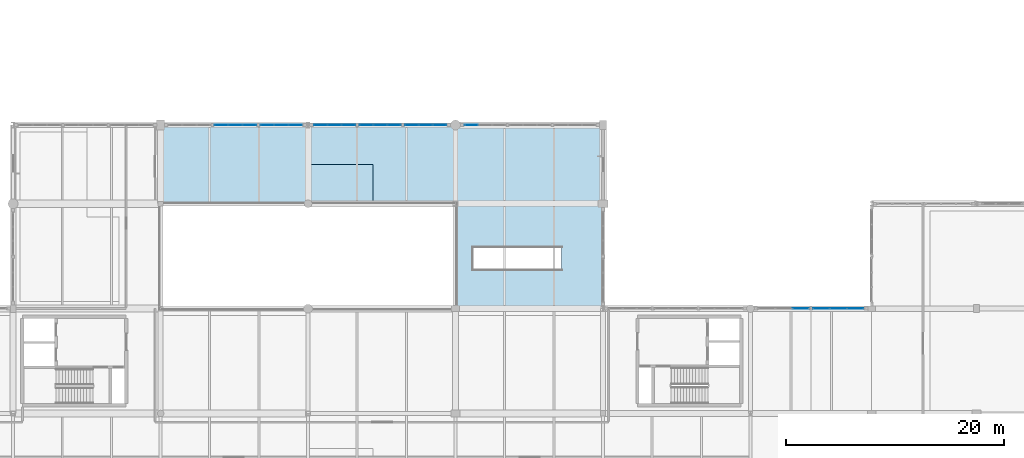
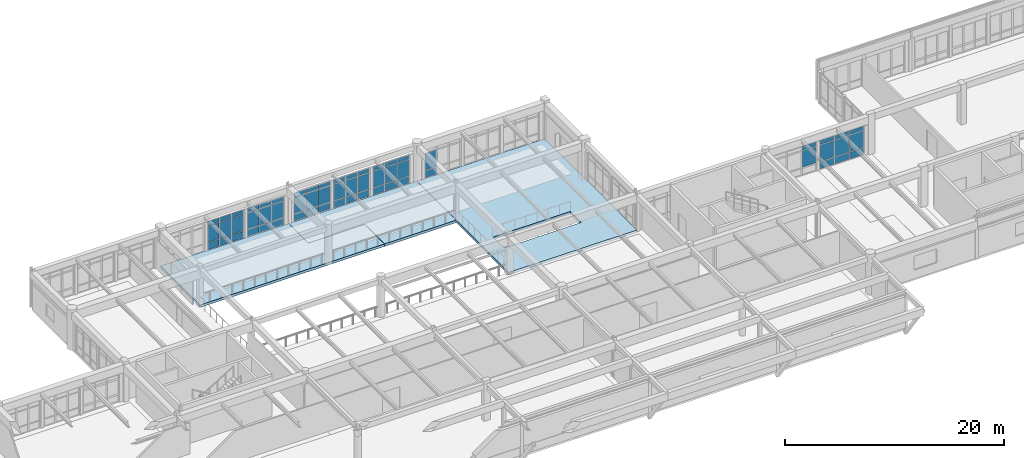
# One storey, part 54 of 80: 58 plates, 3 slabs, 8 elements without a shape of their own.
"""IFC4 building model written with IfcOpenShell, lengths in metres."""

from ifc_helpers import new_model, si_unit, direction, frame, origin, origin_2d, place, context, subcontext, project, spatial, polyline, rectangle, outline, extrude, material, layer, layer_set, type_object, element, aggregate, save


model = new_model("IFC4")

# Units and contexts
model_context = context("Model", 3, precision=1e-05, world=origin(), true_north=direction((0.0, 1.0)))
body_context = subcontext(model_context, "Body", "Model", "MODEL_VIEW")
ifc_project = project(units=[si_unit("LENGTHUNIT", "METRE"), si_unit("AREAUNIT", "SQUARE_METRE"), si_unit("VOLUMEUNIT", "CUBIC_METRE"), si_unit("PLANEANGLEUNIT", "RADIAN"), si_unit("MASSUNIT", "GRAM", prefix="KILO")], contexts=[model_context])

# Site, building, storey
site_placement = place(None, origin())
site = spatial("IfcSite", under=ifc_project, at=site_placement, CompositionType="ELEMENT")
building_placement = place(site_placement, origin())
building = spatial("IfcBuilding", under=site, at=building_placement, Name="Fikremerkos Civic Library", CompositionType="ELEMENT")
storey_placement = place(building_placement, frame((0.0, 0.0, 9.89990234375)))
storey = spatial("IfcBuildingStorey", under=building, at=storey_placement, Name="L02", CompositionType="ELEMENT", Elevation=9.89990234375)

# Curtain wall, plates
ifc_material_1 = material(Name="Anodized aluminium Frame", Category="aluminium")
ifc_layer_1 = layer(ifc_material_1, 0.159912109375, Name="Anodized aluminium Frame")
ifc_layer_set_1 = layer_set([ifc_layer_1], Name="Anodized aluminium Frame")
curtain_wall_type_1 = type_object("IfcCurtainWallType", Name="Unitised curtain wall CW-17 4600x3600", PredefinedType="USERDEFINED", material=ifc_layer_set_1)
curtain_wall_1_placement = place(storey_placement, origin())
curtain_wall_1 = element("IfcCurtainWall", 1, at=curtain_wall_1_placement, inside=storey, type_object=curtain_wall_type_1, Name="Unitised curtain wall CW-17 L02 #161", ObjectType="UNITISED CURTAIN WALL", PredefinedType="USERDEFINED")
ifc_material_2 = material(Name="Solar control double glazing", Category="glass")
ifc_layer_2 = layer(ifc_material_2, 0.028076171875, Name="Solar control double glazing")
ifc_layer_set_2 = layer_set([ifc_layer_2], Name="Solar control double glazing")
plate_type_1 = type_object("IfcPlateType", Name="Curtain glazing panel CWP-01 28", PredefinedType="CURTAIN_PANEL", material=ifc_layer_set_2)
plate_1_placement = place(storey_placement, frame((78.52685546875, 48.0, 0.070068359375), z_axis=(0.0, 0.0, 1.0), x_axis=(1.0, 0.0, 0.0)))
plate_1 = element("IfcPlate", 2, at=plate_1_placement, type_object=plate_type_1, Name="CW-17 panel 1.1", PredefinedType="CURTAIN_PANEL", context=body_context, shape_type="SweptSolid", body=[
    extrude(rectangle(XDim=1.19189453125, YDim=0.028076171875, at=origin_2d()), origin(), (0.0, 0.0, 1.0), 0.7451171875),
])
plate_2_placement = place(storey_placement, frame((78.52685546875, 48.0, 0.885009765625), z_axis=(0.0, 0.0, 1.0), x_axis=(1.0, 0.0, 0.0)))
plate_2 = element("IfcPlate", 3, at=plate_2_placement, type_object=plate_type_1, Name="CW-17 panel 1.2", PredefinedType="CURTAIN_PANEL", context=body_context, shape_type="SweptSolid", body=[
    extrude(rectangle(XDim=1.19189453125, YDim=0.028076171875, at=origin_2d()), origin(), (0.0, 0.0, 1.0), 1.7900390625),
])
plate_3_placement = place(storey_placement, frame((78.52685546875, 48.0, 2.7451171875), z_axis=(0.0, 0.0, 1.0), x_axis=(1.0, 0.0, 0.0)))
plate_3 = element("IfcPlate", 4, at=plate_3_placement, type_object=plate_type_1, Name="CW-17 panel 1.3", PredefinedType="CURTAIN_PANEL", context=body_context, shape_type="SweptSolid", body=[
    extrude(rectangle(XDim=1.19189453125, YDim=0.028076171875, at=origin_2d()), origin(), (0.0, 0.0, 1.0), 0.445068359375),
])
plate_4_placement = place(storey_placement, frame((79.800048828125, 48.0, 0.070068359375), z_axis=(0.0, 0.0, 1.0), x_axis=(1.0, 0.0, 0.0)))
plate_4 = element("IfcPlate", 5, at=plate_4_placement, type_object=plate_type_1, Name="CW-17 panel 2.1", PredefinedType="CURTAIN_PANEL", context=body_context, shape_type="SweptSolid", body=[
    extrude(rectangle(XDim=1.224365234375, YDim=0.028076171875, at=origin_2d()), origin(), (0.0, 0.0, 1.0), 0.7451171875),
])
plate_5_placement = place(storey_placement, frame((79.800048828125, 48.0, 0.885009765625), z_axis=(0.0, 0.0, 1.0), x_axis=(1.0, 0.0, 0.0)))
plate_5 = element("IfcPlate", 6, at=plate_5_placement, type_object=plate_type_1, Name="CW-17 panel 2.2", PredefinedType="CURTAIN_PANEL", context=body_context, shape_type="SweptSolid", body=[
    extrude(rectangle(XDim=1.224365234375, YDim=0.028076171875, at=origin_2d()), origin(), (0.0, 0.0, 1.0), 1.7900390625),
])
plate_6_placement = place(storey_placement, frame((79.800048828125, 48.0, 2.7451171875), z_axis=(0.0, 0.0, 1.0), x_axis=(1.0, 0.0, 0.0)))
plate_6 = element("IfcPlate", 7, at=plate_6_placement, type_object=plate_type_1, Name="CW-17 panel 2.3", PredefinedType="CURTAIN_PANEL", context=body_context, shape_type="SweptSolid", body=[
    extrude(rectangle(XDim=1.224365234375, YDim=0.028076171875, at=origin_2d()), origin(), (0.0, 0.0, 1.0), 0.445068359375),
])
plate_7_placement = place(storey_placement, frame((81.072998046875, 48.0, 0.070068359375), z_axis=(0.0, 0.0, 1.0), x_axis=(1.0, 0.0, 0.0)))
plate_7 = element("IfcPlate", 8, at=plate_7_placement, type_object=plate_type_1, Name="CW-17 panel 3.1", PredefinedType="CURTAIN_PANEL", context=body_context, shape_type="SweptSolid", body=[
    extrude(rectangle(XDim=1.19189453125, YDim=0.028076171875, at=origin_2d()), origin(), (0.0, 0.0, 1.0), 0.7451171875),
])
plate_8_placement = place(storey_placement, frame((81.072998046875, 48.0, 0.885009765625), z_axis=(0.0, 0.0, 1.0), x_axis=(1.0, 0.0, 0.0)))
plate_8 = element("IfcPlate", 9, at=plate_8_placement, type_object=plate_type_1, Name="CW-17 panel 3.2", PredefinedType="CURTAIN_PANEL", context=body_context, shape_type="SweptSolid", body=[
    extrude(rectangle(XDim=1.19189453125, YDim=0.028076171875, at=origin_2d()), origin(), (0.0, 0.0, 1.0), 1.7900390625),
])
plate_9_placement = place(storey_placement, frame((81.072998046875, 48.0, 2.7451171875), z_axis=(0.0, 0.0, 1.0), x_axis=(1.0, 0.0, 0.0)))
plate_9 = element("IfcPlate", 10, at=plate_9_placement, type_object=plate_type_1, Name="CW-17 panel 3.3", PredefinedType="CURTAIN_PANEL", context=body_context, shape_type="SweptSolid", body=[
    extrude(rectangle(XDim=1.19189453125, YDim=0.028076171875, at=origin_2d()), origin(), (0.0, 0.0, 1.0), 0.445068359375),
])
aggregate(curtain_wall_1, [plate_1, plate_2, plate_3, plate_4, plate_5, plate_6, plate_7, plate_8, plate_9])

ifc_layer_3 = layer(ifc_material_1, 0.159912109375, Name="Anodized aluminium Frame")
ifc_layer_set_3 = layer_set([ifc_layer_3], Name="Anodized aluminium Frame")
curtain_wall_type_2 = type_object("IfcCurtainWallType", Name="Unitised curtain wall CW-01 3600x3600", PredefinedType="USERDEFINED", material=ifc_layer_set_3)
curtain_wall_2_placement = place(storey_placement, origin())
curtain_wall_2 = element("IfcCurtainWall", 11, at=curtain_wall_2_placement, inside=storey, type_object=curtain_wall_type_2, Name="Unitised curtain wall CW-01 L02 #163", ObjectType="UNITISED CURTAIN WALL", PredefinedType="USERDEFINED")
plate_10_placement = place(storey_placement, frame((88.150634765625, 48.0, 0.070068359375), z_axis=(0.0, 0.0, 1.0), x_axis=(1.0, 0.0, 0.0)))
plate_10 = element("IfcPlate", 12, at=plate_10_placement, type_object=plate_type_1, Name="CW-01 panel 1.1", PredefinedType="CURTAIN_PANEL", context=body_context, shape_type="SweptSolid", body=[
    extrude(rectangle(XDim=1.175048828125, YDim=0.028076171875, at=origin_2d()), origin(), (0.0, 0.0, 1.0), 0.7451171875),
])
plate_11_placement = place(storey_placement, frame((88.150634765625, 48.0, 0.88525390625), z_axis=(0.0, 0.0, 1.0), x_axis=(1.0, 0.0, 0.0)))
plate_11 = element("IfcPlate", 13, at=plate_11_placement, type_object=plate_type_1, Name="CW-01 panel 1.2", PredefinedType="CURTAIN_PANEL", context=body_context, shape_type="SweptSolid", body=[
    extrude(rectangle(XDim=1.175048828125, YDim=0.028076171875, at=origin_2d()), origin(), (0.0, 0.0, 1.0), 1.889892578125),
])
aggregate(curtain_wall_2, [plate_10, plate_11])

ifc_layer_4 = layer(ifc_material_1, 0.159912109375, Name="Anodized aluminium Frame")
ifc_layer_set_4 = layer_set([ifc_layer_4], Name="Anodized aluminium Frame")
curtain_wall_type_3 = type_object("IfcCurtainWallType", Name="Unitised curtain wall CW-09 3600x3400", PredefinedType="USERDEFINED", material=ifc_layer_set_4)
curtain_wall_3_placement = place(storey_placement, origin())
curtain_wall_3 = element("IfcCurtainWall", 14, at=curtain_wall_3_placement, inside=storey, type_object=curtain_wall_type_3, Name="Unitised curtain wall CW-09 L02 #171", ObjectType="UNITISED CURTAIN WALL", PredefinedType="USERDEFINED")
plate_12_placement = place(storey_placement, frame((118.300048828125, 31.199951171875, 0.885009765625), z_axis=(0.0, 0.0, 1.0), x_axis=(1.0, 0.0, 0.0)))
plate_12 = element("IfcPlate", 15, at=plate_12_placement, type_object=plate_type_1, Name="CW-09 panel 3.2", PredefinedType="CURTAIN_PANEL", context=body_context, shape_type="SweptSolid", body=[
    extrude(rectangle(XDim=1.4697265625, YDim=0.028076171875, at=origin_2d()), origin(), (0.0, 0.0, 1.0), 1.830078125),
])
plate_13_placement = place(storey_placement, frame((118.300048828125, 31.199951171875, 2.78515625), z_axis=(0.0, 0.0, 1.0), x_axis=(1.0, 0.0, 0.0)))
plate_13 = element("IfcPlate", 16, at=plate_13_placement, type_object=plate_type_1, Name="CW-09 panel 3.3", PredefinedType="CURTAIN_PANEL", context=body_context, shape_type="SweptSolid", body=[
    extrude(rectangle(XDim=1.4697265625, YDim=0.028076171875, at=origin_2d()), origin(), (0.0, 0.0, 1.0), 0.445068359375),
])
aggregate(curtain_wall_3, [plate_12, plate_13])

ifc_layer_5 = layer(ifc_material_1, 0.159912109375, Name="Anodized aluminium Frame")
ifc_layer_set_5 = layer_set([ifc_layer_5], Name="Anodized aluminium Frame")
curtain_wall_type_4 = type_object("IfcCurtainWallType", Name="Unitised curtain wall CW-14 4100x3200", PredefinedType="USERDEFINED", material=ifc_layer_set_5)
curtain_wall_4_placement = place(storey_placement, origin())
curtain_wall_4 = element("IfcCurtainWall", 17, at=curtain_wall_4_placement, inside=storey, type_object=curtain_wall_type_4, Name="Unitised curtain wall CW-14 L02 #158", ObjectType="UNITISED CURTAIN WALL", PredefinedType="USERDEFINED")
ifc_layer_6 = layer(ifc_material_2, 0.035888671875, Name="Solar control double glazing")
ifc_layer_set_6 = layer_set([ifc_layer_6], Name="Solar control double glazing")
plate_type_2 = type_object("IfcPlateType", Name="Curtain glazing panel CWP-02 36", PredefinedType="CURTAIN_PANEL", material=ifc_layer_set_6)
plate_14_placement = place(storey_placement, frame((65.2646484375, 48.0, 0.06005859375), z_axis=(0.0, 0.0, 1.0), x_axis=(1.0, 0.0, 0.0)))
plate_14 = element("IfcPlate", 18, at=plate_14_placement, type_object=plate_type_2, Name="CW-14 panel 1.1", PredefinedType="CURTAIN_PANEL", context=body_context, shape_type="SweptSolid", body=[
    extrude(rectangle(XDim=1.21044921875, YDim=0.035888671875, at=origin_2d()), origin(), (0.0, 0.0, 1.0), 0.760009765625),
])
plate_15_placement = place(storey_placement, frame((65.2646484375, 48.0, 0.8798828125), z_axis=(0.0, 0.0, 1.0), x_axis=(1.0, 0.0, 0.0)))
plate_15 = element("IfcPlate", 19, at=plate_15_placement, type_object=plate_type_2, Name="CW-14 panel 1.2", PredefinedType="CURTAIN_PANEL", context=body_context, shape_type="SweptSolid", body=[
    extrude(rectangle(XDim=1.21044921875, YDim=0.035888671875, at=origin_2d()), origin(), (0.0, 0.0, 1.0), 1.800048828125),
])
plate_16_placement = place(storey_placement, frame((65.2646484375, 48.0, 2.740234375), z_axis=(0.0, 0.0, 1.0), x_axis=(1.0, 0.0, 0.0)))
plate_16 = element("IfcPlate", 20, at=plate_16_placement, type_object=plate_type_2, Name="CW-14 panel 1.3", PredefinedType="CURTAIN_PANEL", context=body_context, shape_type="SweptSolid", body=[
    extrude(rectangle(XDim=1.21044921875, YDim=0.035888671875, at=origin_2d()), origin(), (0.0, 0.0, 1.0), 0.4599609375),
])
plate_17_placement = place(storey_placement, frame((66.550048828125, 48.0, 0.06005859375), z_axis=(0.0, 0.0, 1.0), x_axis=(1.0, 0.0, 0.0)))
plate_17 = element("IfcPlate", 21, at=plate_17_placement, type_object=plate_type_2, Name="CW-14 panel 2.1", PredefinedType="CURTAIN_PANEL", context=body_context, shape_type="SweptSolid", body=[
    extrude(rectangle(XDim=1.240478515625, YDim=0.035888671875, at=origin_2d()), origin(), (0.0, 0.0, 1.0), 0.760009765625),
])
plate_18_placement = place(storey_placement, frame((66.550048828125, 48.0, 0.8798828125), z_axis=(0.0, 0.0, 1.0), x_axis=(1.0, 0.0, 0.0)))
plate_18 = element("IfcPlate", 22, at=plate_18_placement, type_object=plate_type_2, Name="CW-14 panel 2.2", PredefinedType="CURTAIN_PANEL", context=body_context, shape_type="SweptSolid", body=[
    extrude(rectangle(XDim=1.240478515625, YDim=0.035888671875, at=origin_2d()), origin(), (0.0, 0.0, 1.0), 1.800048828125),
])
plate_19_placement = place(storey_placement, frame((66.550048828125, 48.0, 2.740234375), z_axis=(0.0, 0.0, 1.0), x_axis=(1.0, 0.0, 0.0)))
plate_19 = element("IfcPlate", 23, at=plate_19_placement, type_object=plate_type_2, Name="CW-14 panel 2.3", PredefinedType="CURTAIN_PANEL", context=body_context, shape_type="SweptSolid", body=[
    extrude(rectangle(XDim=1.240478515625, YDim=0.035888671875, at=origin_2d()), origin(), (0.0, 0.0, 1.0), 0.4599609375),
])
plate_20_placement = place(storey_placement, frame((67.83544921875, 48.0, 0.06005859375), z_axis=(0.0, 0.0, 1.0), x_axis=(1.0, 0.0, 0.0)))
plate_20 = element("IfcPlate", 24, at=plate_20_placement, type_object=plate_type_2, Name="CW-14 panel 3.1", PredefinedType="CURTAIN_PANEL", context=body_context, shape_type="SweptSolid", body=[
    extrude(rectangle(XDim=1.21044921875, YDim=0.035888671875, at=origin_2d()), origin(), (0.0, 0.0, 1.0), 0.760009765625),
])
plate_21_placement = place(storey_placement, frame((67.83544921875, 48.0, 0.8798828125), z_axis=(0.0, 0.0, 1.0), x_axis=(1.0, 0.0, 0.0)))
plate_21 = element("IfcPlate", 25, at=plate_21_placement, type_object=plate_type_2, Name="CW-14 panel 3.2", PredefinedType="CURTAIN_PANEL", context=body_context, shape_type="SweptSolid", body=[
    extrude(rectangle(XDim=1.21044921875, YDim=0.035888671875, at=origin_2d()), origin(), (0.0, 0.0, 1.0), 1.800048828125),
])
plate_22_placement = place(storey_placement, frame((67.83544921875, 48.0, 2.740234375), z_axis=(0.0, 0.0, 1.0), x_axis=(1.0, 0.0, 0.0)))
plate_22 = element("IfcPlate", 26, at=plate_22_placement, type_object=plate_type_2, Name="CW-14 panel 3.3", PredefinedType="CURTAIN_PANEL", context=body_context, shape_type="SweptSolid", body=[
    extrude(rectangle(XDim=1.21044921875, YDim=0.035888671875, at=origin_2d()), origin(), (0.0, 0.0, 1.0), 0.4599609375),
])
aggregate(curtain_wall_4, [plate_14, plate_15, plate_16, plate_17, plate_18, plate_19, plate_20, plate_21, plate_22])

ifc_layer_7 = layer(ifc_material_1, 0.159912109375, Name="Anodized aluminium Frame")
ifc_layer_set_7 = layer_set([ifc_layer_7], Name="Anodized aluminium Frame")
curtain_wall_type_5 = type_object("IfcCurtainWallType", Name="Unitised curtain wall CW-18 2700x3400", PredefinedType="USERDEFINED", material=ifc_layer_set_7)
curtain_wall_5_placement = place(storey_placement, origin())
curtain_wall_5 = element("IfcCurtainWall", 27, at=curtain_wall_5_placement, inside=storey, type_object=curtain_wall_type_5, Name="Unitised curtain wall CW-18 L02 #162", ObjectType="UNITISED CURTAIN WALL", PredefinedType="USERDEFINED")
plate_23_placement = place(storey_placement, frame((82.693603515625, 48.0, 0.070068359375), z_axis=(0.0, 0.0, 1.0), x_axis=(1.0, 0.0, 0.0)))
plate_23 = element("IfcPlate", 28, at=plate_23_placement, type_object=plate_type_2, Name="CW-18 panel 1.1", PredefinedType="CURTAIN_PANEL", context=body_context, shape_type="SweptSolid", body=[
    extrude(rectangle(XDim=1.19921875, YDim=0.035888671875, at=origin_2d()), origin(), (0.0, 0.0, 1.0), 0.7451171875),
])
plate_24_placement = place(storey_placement, frame((82.693603515625, 48.0, 0.885009765625), z_axis=(0.0, 0.0, 1.0), x_axis=(1.0, 0.0, 0.0)))
plate_24 = element("IfcPlate", 29, at=plate_24_placement, type_object=plate_type_2, Name="CW-18 panel 1.2", PredefinedType="CURTAIN_PANEL", context=body_context, shape_type="SweptSolid", body=[
    extrude(rectangle(XDim=1.19921875, YDim=0.035888671875, at=origin_2d()), origin(), (0.0, 0.0, 1.0), 1.7900390625),
])
plate_25_placement = place(storey_placement, frame((82.693603515625, 48.0, 2.7451171875), z_axis=(0.0, 0.0, 1.0), x_axis=(1.0, 0.0, 0.0)))
plate_25 = element("IfcPlate", 30, at=plate_25_placement, type_object=plate_type_2, Name="CW-18 panel 1.3", PredefinedType="CURTAIN_PANEL", context=body_context, shape_type="SweptSolid", body=[
    extrude(rectangle(XDim=1.19921875, YDim=0.035888671875, at=origin_2d()), origin(), (0.0, 0.0, 1.0), 0.445068359375),
])
plate_26_placement = place(storey_placement, frame((83.968017578125, 48.0, 0.070068359375), z_axis=(0.0, 0.0, 1.0), x_axis=(1.0, 0.0, 0.0)))
plate_26 = element("IfcPlate", 31, at=plate_26_placement, type_object=plate_type_2, Name="CW-18 panel 2.1", PredefinedType="CURTAIN_PANEL", context=body_context, shape_type="SweptSolid", body=[
    extrude(rectangle(XDim=1.229248046875, YDim=0.035888671875, at=origin_2d()), origin(), (0.0, 0.0, 1.0), 0.7451171875),
])
plate_27_placement = place(storey_placement, frame((83.968017578125, 48.0, 0.885009765625), z_axis=(0.0, 0.0, 1.0), x_axis=(1.0, 0.0, 0.0)))
plate_27 = element("IfcPlate", 32, at=plate_27_placement, type_object=plate_type_2, Name="CW-18 panel 2.2", PredefinedType="CURTAIN_PANEL", context=body_context, shape_type="SweptSolid", body=[
    extrude(rectangle(XDim=1.229248046875, YDim=0.035888671875, at=origin_2d()), origin(), (0.0, 0.0, 1.0), 1.7900390625),
])
plate_28_placement = place(storey_placement, frame((83.968017578125, 48.0, 2.7451171875), z_axis=(0.0, 0.0, 1.0), x_axis=(1.0, 0.0, 0.0)))
plate_28 = element("IfcPlate", 33, at=plate_28_placement, type_object=plate_type_2, Name="CW-18 panel 2.3", PredefinedType="CURTAIN_PANEL", context=body_context, shape_type="SweptSolid", body=[
    extrude(rectangle(XDim=1.229248046875, YDim=0.035888671875, at=origin_2d()), origin(), (0.0, 0.0, 1.0), 0.445068359375),
])
plate_29_placement = place(storey_placement, frame((85.242431640625, 48.0, 0.070068359375), z_axis=(0.0, 0.0, 1.0), x_axis=(1.0, 0.0, 0.0)))
plate_29 = element("IfcPlate", 34, at=plate_29_placement, type_object=plate_type_2, Name="CW-18 panel 3.1", PredefinedType="CURTAIN_PANEL", context=body_context, shape_type="SweptSolid", body=[
    extrude(rectangle(XDim=1.19921875, YDim=0.035888671875, at=origin_2d()), origin(), (0.0, 0.0, 1.0), 0.7451171875),
])
plate_30_placement = place(storey_placement, frame((85.242431640625, 48.0, 0.885009765625), z_axis=(0.0, 0.0, 1.0), x_axis=(1.0, 0.0, 0.0)))
plate_30 = element("IfcPlate", 35, at=plate_30_placement, type_object=plate_type_2, Name="CW-18 panel 3.2", PredefinedType="CURTAIN_PANEL", context=body_context, shape_type="SweptSolid", body=[
    extrude(rectangle(XDim=1.19921875, YDim=0.035888671875, at=origin_2d()), origin(), (0.0, 0.0, 1.0), 1.7900390625),
])
plate_31_placement = place(storey_placement, frame((85.242431640625, 48.0, 2.7451171875), z_axis=(0.0, 0.0, 1.0), x_axis=(1.0, 0.0, 0.0)))
plate_31 = element("IfcPlate", 36, at=plate_31_placement, type_object=plate_type_2, Name="CW-18 panel 3.3", PredefinedType="CURTAIN_PANEL", context=body_context, shape_type="SweptSolid", body=[
    extrude(rectangle(XDim=1.19921875, YDim=0.035888671875, at=origin_2d()), origin(), (0.0, 0.0, 1.0), 0.445068359375),
])
aggregate(curtain_wall_5, [plate_23, plate_24, plate_25, plate_26, plate_27, plate_28, plate_29, plate_30, plate_31])

ifc_layer_8 = layer(ifc_material_1, 0.159912109375, Name="Anodized aluminium Frame")
ifc_layer_set_8 = layer_set([ifc_layer_8], Name="Anodized aluminium Frame")
curtain_wall_type_6 = type_object("IfcCurtainWallType", Name="Unitised curtain wall CW-10 4000x3400", PredefinedType="USERDEFINED", material=ifc_layer_set_8)
curtain_wall_6_placement = place(storey_placement, origin())
curtain_wall_6 = element("IfcCurtainWall", 37, at=curtain_wall_6_placement, inside=storey, type_object=curtain_wall_type_6, Name="Unitised curtain wall CW-10 L02 #172", ObjectType="UNITISED CURTAIN WALL", PredefinedType="USERDEFINED")
plate_32_placement = place(storey_placement, frame((120.19873046875, 31.199951171875, 0.070068359375), z_axis=(0.0, 0.0, 1.0), x_axis=(1.0, 0.0, 0.0)))
plate_32 = element("IfcPlate", 38, at=plate_32_placement, type_object=plate_type_2, Name="CW-10 panel 1.1", PredefinedType="CURTAIN_PANEL", context=body_context, shape_type="SweptSolid", body=[
    extrude(rectangle(XDim=1.477294921875, YDim=0.035888671875, at=origin_2d()), origin(), (0.0, 0.0, 1.0), 0.7451171875),
])
plate_33_placement = place(storey_placement, frame((120.19873046875, 31.199951171875, 0.885009765625), z_axis=(0.0, 0.0, 1.0), x_axis=(1.0, 0.0, 0.0)))
plate_33 = element("IfcPlate", 39, at=plate_33_placement, type_object=plate_type_2, Name="CW-10 panel 1.2", PredefinedType="CURTAIN_PANEL", context=body_context, shape_type="SweptSolid", body=[
    extrude(rectangle(XDim=1.477294921875, YDim=0.035888671875, at=origin_2d()), origin(), (0.0, 0.0, 1.0), 1.830078125),
])
plate_34_placement = place(storey_placement, frame((120.19873046875, 31.199951171875, 2.78515625), z_axis=(0.0, 0.0, 1.0), x_axis=(1.0, 0.0, 0.0)))
plate_34 = element("IfcPlate", 40, at=plate_34_placement, type_object=plate_type_2, Name="CW-10 panel 1.3", PredefinedType="CURTAIN_PANEL", context=body_context, shape_type="SweptSolid", body=[
    extrude(rectangle(XDim=1.477294921875, YDim=0.035888671875, at=origin_2d()), origin(), (0.0, 0.0, 1.0), 0.445068359375),
])
plate_35_placement = place(storey_placement, frame((121.7509765625, 31.199951171875, 0.070068359375), z_axis=(0.0, 0.0, 1.0), x_axis=(1.0, 0.0, 0.0)))
plate_35 = element("IfcPlate", 41, at=plate_35_placement, type_object=plate_type_2, Name="CW-10 panel 2.1", PredefinedType="CURTAIN_PANEL", context=body_context, shape_type="SweptSolid", body=[
    extrude(rectangle(XDim=1.50732421875, YDim=0.035888671875, at=origin_2d()), origin(), (0.0, 0.0, 1.0), 0.7451171875),
])
plate_36_placement = place(storey_placement, frame((121.7509765625, 31.199951171875, 0.885009765625), z_axis=(0.0, 0.0, 1.0), x_axis=(1.0, 0.0, 0.0)))
plate_36 = element("IfcPlate", 42, at=plate_36_placement, type_object=plate_type_2, Name="CW-10 panel 2.2", PredefinedType="CURTAIN_PANEL", context=body_context, shape_type="SweptSolid", body=[
    extrude(rectangle(XDim=1.50732421875, YDim=0.035888671875, at=origin_2d()), origin(), (0.0, 0.0, 1.0), 1.830078125),
])
plate_37_placement = place(storey_placement, frame((121.7509765625, 31.199951171875, 2.78515625), z_axis=(0.0, 0.0, 1.0), x_axis=(1.0, 0.0, 0.0)))
plate_37 = element("IfcPlate", 43, at=plate_37_placement, type_object=plate_type_2, Name="CW-10 panel 2.3", PredefinedType="CURTAIN_PANEL", context=body_context, shape_type="SweptSolid", body=[
    extrude(rectangle(XDim=1.50732421875, YDim=0.035888671875, at=origin_2d()), origin(), (0.0, 0.0, 1.0), 0.445068359375),
])
plate_38_placement = place(storey_placement, frame((123.30322265625, 31.199951171875, 0.070068359375), z_axis=(0.0, 0.0, 1.0), x_axis=(1.0, 0.0, 0.0)))
plate_38 = element("IfcPlate", 44, at=plate_38_placement, type_object=plate_type_2, Name="CW-10 panel 3.1", PredefinedType="CURTAIN_PANEL", context=body_context, shape_type="SweptSolid", body=[
    extrude(rectangle(XDim=1.477294921875, YDim=0.035888671875, at=origin_2d()), origin(), (0.0, 0.0, 1.0), 0.7451171875),
])
plate_39_placement = place(storey_placement, frame((123.30322265625, 31.199951171875, 0.885009765625), z_axis=(0.0, 0.0, 1.0), x_axis=(1.0, 0.0, 0.0)))
plate_39 = element("IfcPlate", 45, at=plate_39_placement, type_object=plate_type_2, Name="CW-10 panel 3.2", PredefinedType="CURTAIN_PANEL", context=body_context, shape_type="SweptSolid", body=[
    extrude(rectangle(XDim=1.477294921875, YDim=0.035888671875, at=origin_2d()), origin(), (0.0, 0.0, 1.0), 1.830078125),
])
plate_40_placement = place(storey_placement, frame((123.30322265625, 31.199951171875, 2.78515625), z_axis=(0.0, 0.0, 1.0), x_axis=(1.0, 0.0, 0.0)))
plate_40 = element("IfcPlate", 46, at=plate_40_placement, type_object=plate_type_2, Name="CW-10 panel 3.3", PredefinedType="CURTAIN_PANEL", context=body_context, shape_type="SweptSolid", body=[
    extrude(rectangle(XDim=1.477294921875, YDim=0.035888671875, at=origin_2d()), origin(), (0.0, 0.0, 1.0), 0.445068359375),
])
aggregate(curtain_wall_6, [plate_32, plate_33, plate_34, plate_35, plate_36, plate_37, plate_38, plate_39, plate_40])

ifc_layer_9 = layer(ifc_material_1, 0.159912109375, Name="Anodized aluminium Frame")
ifc_layer_set_9 = layer_set([ifc_layer_9], Name="Anodized aluminium Frame")
curtain_wall_type_7 = type_object("IfcCurtainWallType", Name="Unitised curtain wall CW-15 2900x3600", PredefinedType="USERDEFINED", material=ifc_layer_set_9)
curtain_wall_7_placement = place(storey_placement, origin())
curtain_wall_7 = element("IfcCurtainWall", 47, at=curtain_wall_7_placement, inside=storey, type_object=curtain_wall_type_7, Name="Unitised curtain wall CW-15 L02 #159", ObjectType="UNITISED CURTAIN WALL", PredefinedType="USERDEFINED")
ifc_material_3 = material(Name="Insulated aluminium spandrel", Category="aluminium")
ifc_layer_10 = layer(ifc_material_3, 0.044921875, Name="Insulated aluminium spandrel")
ifc_layer_set_10 = layer_set([ifc_layer_10], Name="Insulated aluminium spandrel")
plate_type_3 = type_object("IfcPlateType", Name="Curtain spandrel panel CSP-01 45", PredefinedType="CURTAIN_PANEL", material=ifc_layer_set_10)
plate_41_placement = place(storey_placement, frame((69.4658203125, 48.0, 0.070068359375), z_axis=(0.0, 0.0, 1.0), x_axis=(1.0, 0.0, 0.0)))
plate_41 = element("IfcPlate", 48, at=plate_41_placement, type_object=plate_type_3, Name="CW-15 panel 1.1", PredefinedType="CURTAIN_PANEL", context=body_context, shape_type="SweptSolid", body=[
    extrude(rectangle(XDim=1.21044921875, YDim=0.044921875, at=origin_2d()), origin(), (0.0, 0.0, 1.0), 0.7451171875),
])
plate_42_placement = place(storey_placement, frame((69.4658203125, 48.0, 0.885009765625), z_axis=(0.0, 0.0, 1.0), x_axis=(1.0, 0.0, 0.0)))
plate_42 = element("IfcPlate", 49, at=plate_42_placement, type_object=plate_type_3, Name="CW-15 panel 1.2", PredefinedType="CURTAIN_PANEL", context=body_context, shape_type="SweptSolid", body=[
    extrude(rectangle(XDim=1.21044921875, YDim=0.044921875, at=origin_2d()), origin(), (0.0, 0.0, 1.0), 1.7900390625),
])
plate_43_placement = place(storey_placement, frame((69.4658203125, 48.0, 2.7451171875), z_axis=(0.0, 0.0, 1.0), x_axis=(1.0, 0.0, 0.0)))
plate_43 = element("IfcPlate", 50, at=plate_43_placement, type_object=plate_type_3, Name="CW-15 panel 1.3", PredefinedType="CURTAIN_PANEL", context=body_context, shape_type="SweptSolid", body=[
    extrude(rectangle(XDim=1.21044921875, YDim=0.044921875, at=origin_2d()), origin(), (0.0, 0.0, 1.0), 0.445068359375),
])
plate_44_placement = place(storey_placement, frame((70.751220703125, 48.0, 0.070068359375), z_axis=(0.0, 0.0, 1.0), x_axis=(1.0, 0.0, 0.0)))
plate_44 = element("IfcPlate", 51, at=plate_44_placement, type_object=plate_type_3, Name="CW-15 panel 2.1", PredefinedType="CURTAIN_PANEL", context=body_context, shape_type="SweptSolid", body=[
    extrude(rectangle(XDim=1.240478515625, YDim=0.044921875, at=origin_2d()), origin(), (0.0, 0.0, 1.0), 0.7451171875),
])
plate_45_placement = place(storey_placement, frame((70.751220703125, 48.0, 0.885009765625), z_axis=(0.0, 0.0, 1.0), x_axis=(1.0, 0.0, 0.0)))
plate_45 = element("IfcPlate", 52, at=plate_45_placement, type_object=plate_type_3, Name="CW-15 panel 2.2", PredefinedType="CURTAIN_PANEL", context=body_context, shape_type="SweptSolid", body=[
    extrude(rectangle(XDim=1.240478515625, YDim=0.044921875, at=origin_2d()), origin(), (0.0, 0.0, 1.0), 1.7900390625),
])
plate_46_placement = place(storey_placement, frame((70.751220703125, 48.0, 2.7451171875), z_axis=(0.0, 0.0, 1.0), x_axis=(1.0, 0.0, 0.0)))
plate_46 = element("IfcPlate", 53, at=plate_46_placement, type_object=plate_type_3, Name="CW-15 panel 2.3", PredefinedType="CURTAIN_PANEL", context=body_context, shape_type="SweptSolid", body=[
    extrude(rectangle(XDim=1.240478515625, YDim=0.044921875, at=origin_2d()), origin(), (0.0, 0.0, 1.0), 0.445068359375),
])
plate_47_placement = place(storey_placement, frame((72.036865234375, 48.0, 0.070068359375), z_axis=(0.0, 0.0, 1.0), x_axis=(1.0, 0.0, 0.0)))
plate_47 = element("IfcPlate", 54, at=plate_47_placement, type_object=plate_type_3, Name="CW-15 panel 3.1", PredefinedType="CURTAIN_PANEL", context=body_context, shape_type="SweptSolid", body=[
    extrude(rectangle(XDim=1.21044921875, YDim=0.044921875, at=origin_2d()), origin(), (0.0, 0.0, 1.0), 0.7451171875),
])
plate_48_placement = place(storey_placement, frame((72.036865234375, 48.0, 0.885009765625), z_axis=(0.0, 0.0, 1.0), x_axis=(1.0, 0.0, 0.0)))
plate_48 = element("IfcPlate", 55, at=plate_48_placement, type_object=plate_type_3, Name="CW-15 panel 3.2", PredefinedType="CURTAIN_PANEL", context=body_context, shape_type="SweptSolid", body=[
    extrude(rectangle(XDim=1.21044921875, YDim=0.044921875, at=origin_2d()), origin(), (0.0, 0.0, 1.0), 1.7900390625),
])
plate_49_placement = place(storey_placement, frame((72.036865234375, 48.0, 2.7451171875), z_axis=(0.0, 0.0, 1.0), x_axis=(1.0, 0.0, 0.0)))
plate_49 = element("IfcPlate", 56, at=plate_49_placement, type_object=plate_type_3, Name="CW-15 panel 3.3", PredefinedType="CURTAIN_PANEL", context=body_context, shape_type="SweptSolid", body=[
    extrude(rectangle(XDim=1.21044921875, YDim=0.044921875, at=origin_2d()), origin(), (0.0, 0.0, 1.0), 0.445068359375),
])
aggregate(curtain_wall_7, [plate_41, plate_42, plate_43, plate_44, plate_45, plate_46, plate_47, plate_48, plate_49])

ifc_layer_11 = layer(ifc_material_1, 0.159912109375, Name="Anodized aluminium Frame")
ifc_layer_set_11 = layer_set([ifc_layer_11], Name="Anodized aluminium Frame")
curtain_wall_type_8 = type_object("IfcCurtainWallType", Name="Unitised curtain wall CW-16 3100x4100", PredefinedType="USERDEFINED", material=ifc_layer_set_11)
curtain_wall_8_placement = place(storey_placement, origin())
curtain_wall_8 = element("IfcCurtainWall", 57, at=curtain_wall_8_placement, inside=storey, type_object=curtain_wall_type_8, Name="Unitised curtain wall CW-16 L02 #160", ObjectType="UNITISED CURTAIN WALL", PredefinedType="USERDEFINED")
ifc_layer_12 = layer(ifc_material_3, 0.054931640625, Name="Insulated aluminium spandrel")
ifc_layer_set_12 = layer_set([ifc_layer_12], Name="Insulated aluminium spandrel")
plate_type_4 = type_object("IfcPlateType", Name="Curtain spandrel panel CSP-02 55", PredefinedType="CURTAIN_PANEL", material=ifc_layer_set_12)
plate_50_placement = place(storey_placement, frame((74.357666015625, 48.0, 0.070068359375), z_axis=(0.0, 0.0, 1.0), x_axis=(1.0, 0.0, 0.0)))
plate_50 = element("IfcPlate", 58, at=plate_50_placement, type_object=plate_type_4, Name="CW-16 panel 1.1", PredefinedType="CURTAIN_PANEL", context=body_context, shape_type="SweptSolid", body=[
    extrude(rectangle(XDim=1.19921875, YDim=0.054931640625, at=origin_2d()), origin(), (0.0, 0.0, 1.0), 0.7451171875),
])
plate_51_placement = place(storey_placement, frame((74.357666015625, 48.0, 0.885009765625), z_axis=(0.0, 0.0, 1.0), x_axis=(1.0, 0.0, 0.0)))
plate_51 = element("IfcPlate", 59, at=plate_51_placement, type_object=plate_type_4, Name="CW-16 panel 1.2", PredefinedType="CURTAIN_PANEL", context=body_context, shape_type="SweptSolid", body=[
    extrude(rectangle(XDim=1.19921875, YDim=0.054931640625, at=origin_2d()), origin(), (0.0, 0.0, 1.0), 1.7900390625),
])
plate_52_placement = place(storey_placement, frame((74.357666015625, 48.0, 2.7451171875), z_axis=(0.0, 0.0, 1.0), x_axis=(1.0, 0.0, 0.0)))
plate_52 = element("IfcPlate", 60, at=plate_52_placement, type_object=plate_type_4, Name="CW-16 panel 1.3", PredefinedType="CURTAIN_PANEL", context=body_context, shape_type="SweptSolid", body=[
    extrude(rectangle(XDim=1.19921875, YDim=0.054931640625, at=origin_2d()), origin(), (0.0, 0.0, 1.0), 0.445068359375),
])
plate_53_placement = place(storey_placement, frame((75.632080078125, 48.0, 0.070068359375), z_axis=(0.0, 0.0, 1.0), x_axis=(1.0, 0.0, 0.0)))
plate_53 = element("IfcPlate", 61, at=plate_53_placement, type_object=plate_type_4, Name="CW-16 panel 2.1", PredefinedType="CURTAIN_PANEL", context=body_context, shape_type="SweptSolid", body=[
    extrude(rectangle(XDim=1.229248046875, YDim=0.054931640625, at=origin_2d()), origin(), (0.0, 0.0, 1.0), 0.7451171875),
])
plate_54_placement = place(storey_placement, frame((75.632080078125, 48.0, 0.885009765625), z_axis=(0.0, 0.0, 1.0), x_axis=(1.0, 0.0, 0.0)))
plate_54 = element("IfcPlate", 62, at=plate_54_placement, type_object=plate_type_4, Name="CW-16 panel 2.2", PredefinedType="CURTAIN_PANEL", context=body_context, shape_type="SweptSolid", body=[
    extrude(rectangle(XDim=1.229248046875, YDim=0.054931640625, at=origin_2d()), origin(), (0.0, 0.0, 1.0), 1.7900390625),
])
plate_55_placement = place(storey_placement, frame((75.632080078125, 48.0, 2.7451171875), z_axis=(0.0, 0.0, 1.0), x_axis=(1.0, 0.0, 0.0)))
plate_55 = element("IfcPlate", 63, at=plate_55_placement, type_object=plate_type_4, Name="CW-16 panel 2.3", PredefinedType="CURTAIN_PANEL", context=body_context, shape_type="SweptSolid", body=[
    extrude(rectangle(XDim=1.229248046875, YDim=0.054931640625, at=origin_2d()), origin(), (0.0, 0.0, 1.0), 0.445068359375),
])
plate_56_placement = place(storey_placement, frame((76.90625, 48.0, 0.070068359375), z_axis=(0.0, 0.0, 1.0), x_axis=(1.0, 0.0, 0.0)))
plate_56 = element("IfcPlate", 64, at=plate_56_placement, type_object=plate_type_4, Name="CW-16 panel 3.1", PredefinedType="CURTAIN_PANEL", context=body_context, shape_type="SweptSolid", body=[
    extrude(rectangle(XDim=1.19921875, YDim=0.054931640625, at=origin_2d()), origin(), (0.0, 0.0, 1.0), 0.7451171875),
])
plate_57_placement = place(storey_placement, frame((76.90625, 48.0, 0.885009765625), z_axis=(0.0, 0.0, 1.0), x_axis=(1.0, 0.0, 0.0)))
plate_57 = element("IfcPlate", 65, at=plate_57_placement, type_object=plate_type_4, Name="CW-16 panel 3.2", PredefinedType="CURTAIN_PANEL", context=body_context, shape_type="SweptSolid", body=[
    extrude(rectangle(XDim=1.19921875, YDim=0.054931640625, at=origin_2d()), origin(), (0.0, 0.0, 1.0), 1.7900390625),
])
plate_58_placement = place(storey_placement, frame((76.90625, 48.0, 2.7451171875), z_axis=(0.0, 0.0, 1.0), x_axis=(1.0, 0.0, 0.0)))
plate_58 = element("IfcPlate", 66, at=plate_58_placement, type_object=plate_type_4, Name="CW-16 panel 3.3", PredefinedType="CURTAIN_PANEL", context=body_context, shape_type="SweptSolid", body=[
    extrude(rectangle(XDim=1.19921875, YDim=0.054931640625, at=origin_2d()), origin(), (0.0, 0.0, 1.0), 0.445068359375),
])
aggregate(curtain_wall_8, [plate_50, plate_51, plate_52, plate_53, plate_54, plate_55, plate_56, plate_57, plate_58])

# Slabs
ifc_material_4 = material(Name="Concrete C40/50", Category="concrete")
ifc_layer_13 = layer(ifc_material_4, 0.280029296875, Name="Concrete C40/50")
ifc_layer_set_13 = layer_set([ifc_layer_13], Name="Concrete C40/50")
slab_type = type_object("IfcSlabType", Name="Suspended floor slab SFS-04 280", PredefinedType="FLOOR", material=ifc_layer_set_13)
slab_1_placement = place(storey_placement, frame((0.0, 0.0, -0.27978515625)))
element("IfcSlab", 67, at=slab_1_placement, inside=storey, type_object=slab_type, Name="Floor slab SFS-04 SLB-L02-V4-A-2L1", PredefinedType="FLOOR", context=body_context, shape_type="SweptSolid", body=[
    extrude(outline(polyline([(59.699951171875, 40.800048828125), (79.135986328125, 40.800048828125), (79.135986328125, 44.39599609375), (73.196044921875, 44.39599609375), (73.196044921875, 48.0), (59.699951171875, 48.0), (59.699951171875, 40.800048828125)])), origin(), (0.0, 0.0, 1.0), 0.27978515625),
])
slab_2_placement = place(storey_placement, frame((0.0, 0.0, -0.27978515625)))
element("IfcSlab", 68, at=slab_2_placement, inside=storey, type_object=slab_type, Name="Floor slab SFS-04 SLB-L02-V4-A-2L2", PredefinedType="FLOOR", context=body_context, shape_type="SweptSolid", body=[
    extrude(outline(polyline([(79.14404296875, 40.800048828125), (86.699951171875, 40.800048828125), (86.699951171875, 48.0), (73.2041015625, 48.0), (73.2041015625, 44.404052734375), (79.14404296875, 44.404052734375), (79.14404296875, 40.800048828125)])), origin(), (0.0, 0.0, 1.0), 0.27978515625),
])
slab_3_placement = place(storey_placement, frame((0.0, 0.0, -0.27978515625)))
element("IfcSlab", 69, at=slab_3_placement, inside=storey, type_object=slab_type, Name="Floor slab SFS-04 SLB-L02-V4-A-3", PredefinedType="FLOOR", context=body_context, shape_type="SweptSolid", body=[
    extrude(outline(polyline([(86.699951171875, 31.199951171875), (100.199951171875, 31.199951171875), (100.199951171875, 48.0), (86.699951171875, 48.0), (86.699951171875, 31.199951171875)]), holes=[polyline([(88.300048828125, 34.800048828125), (96.39990234375, 34.800048828125), (96.39990234375, 36.800048828125), (88.300048828125, 36.800048828125), (88.300048828125, 34.800048828125)])]), origin(), (0.0, 0.0, 1.0), 0.27978515625),
])

save(model, "model.ifc")
